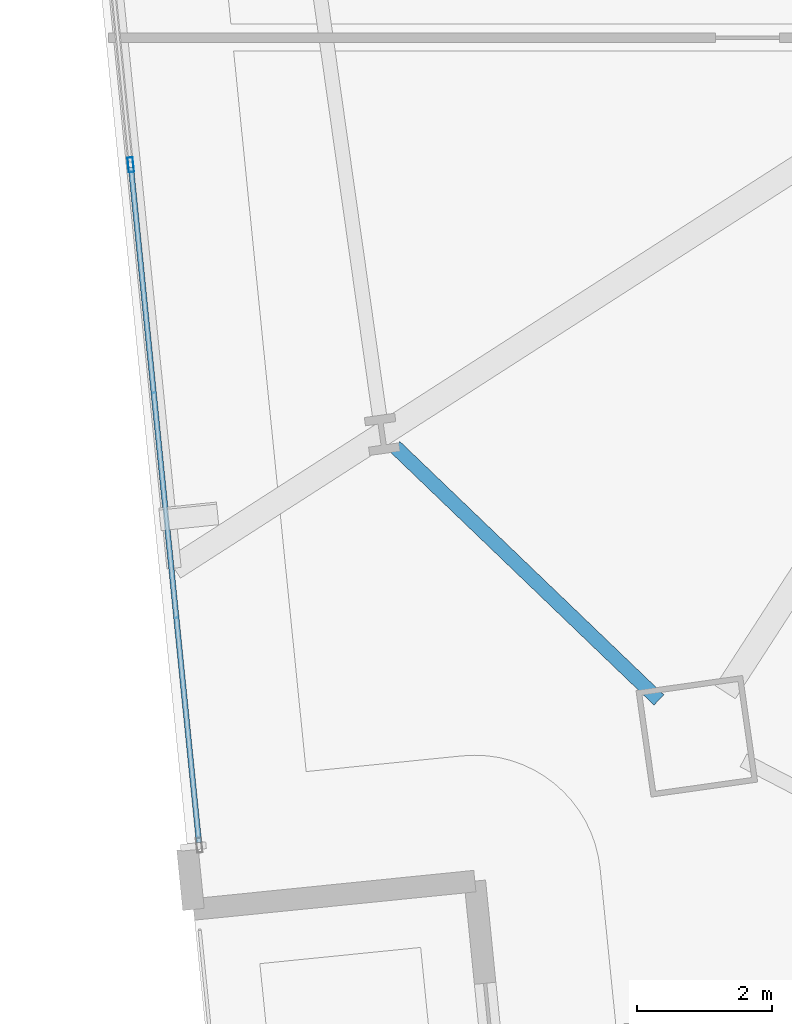
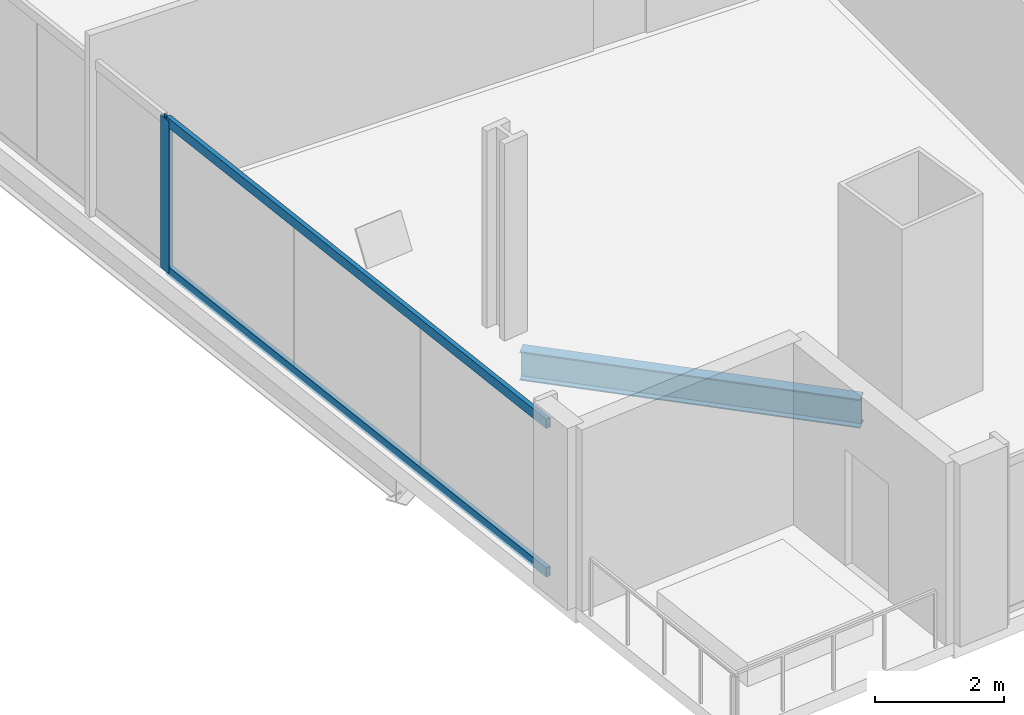
# One storey, part 3 of 33: 3 members, 1 beam, 1 element without a shape of its own.
"""IFC4 building model written with IfcOpenShell, lengths in metres."""

from ifc_helpers import new_model, si_unit, direction, frame, origin, origin_2d, place, context, subcontext, project, spatial, hollow_rectangle, i_section, extrude, material, material_profile, profile_set, type_object, element, aggregate, save


model = new_model("IFC4")

# Units and contexts
model_context = context("Model", 3, precision=1e-05, world=origin(), true_north=direction((0.0, 1.0)))
body_context = subcontext(model_context, "Body", "Model", "MODEL_VIEW")
ifc_project = project(units=[si_unit("LENGTHUNIT", "METRE"), si_unit("AREAUNIT", "SQUARE_METRE"), si_unit("VOLUMEUNIT", "CUBIC_METRE"), si_unit("PLANEANGLEUNIT", "RADIAN"), si_unit("MASSUNIT", "GRAM", prefix="KILO")], contexts=[model_context])

# Site, building, storey
site_placement = place(None, origin())
site = spatial("IfcSite", under=ifc_project, at=site_placement, CompositionType="ELEMENT")
building_placement = place(site_placement, origin())
building = spatial("IfcBuilding", under=site, at=building_placement, Name="Haldenkirk Collegiate Tower", CompositionType="ELEMENT")
storey_placement = place(building_placement, frame((0.0, 0.0, 47.699951171875)))
storey = spatial("IfcBuildingStorey", under=building, at=storey_placement, Name="L10", CompositionType="ELEMENT", Elevation=47.699951171875)

# Beam
ifc_material_1 = material(Name="Steel ASTM A992 Grade 50", Category="steel")
ifc_material_profile_1 = material_profile(ifc_material_1, i_section(OverallWidth=0.2119140625, OverallDepth=0.5439453125, WebThickness=0.01318359375, FlangeThickness=0.021240234375, at=origin_2d()), Name="W21X83")
ifc_profile_set_1 = profile_set([ifc_material_profile_1], Name="Steel ASTM A992 Grade 50")
beam_type = type_object("IfcBeamType", Name="BM-SPANDREL-W21X83", PredefinedType="SPANDREL", material=ifc_profile_set_1)
beam_placement = place(storey_placement, frame((14.212890625, 9.47412109375, -0.58203125), z_axis=(0.721492362326, -0.692422393561, 0.0), x_axis=(0.692422393561, 0.721492362326, 0.0)))
element("IfcBeam", 1, at=beam_placement, inside=storey, type_object=beam_type, Name="L10 perimeter spandrel beam 16", PredefinedType="SPANDREL", context=body_context, shape_type="SweptSolid", body=[
    extrude(i_section(OverallWidth=0.2119140625, OverallDepth=0.5439453125, WebThickness=0.01318359375, FlangeThickness=0.021240234375, at=origin_2d()), origin(), (0.0, 0.0, 1.0), 5.433837890625),
])

# Curtain wall, members
ifc_material_2 = material(Name="Anodised architectural bronze aluminium", Category="aluminium")
curtain_wall_type = type_object("IfcCurtainWallType", Name="CW-SYS1-CONVEX-LOW", PredefinedType="USERDEFINED", material=ifc_material_2)
curtain_wall_placement = place(storey_placement, origin())
curtain_wall = element("IfcCurtainWall", 2, at=curtain_wall_placement, inside=storey, type_object=curtain_wall_type, Name="L10 Lower tower convex bronze-framed unitised curtain wall", ObjectType="UNITISED CURTAIN WALL", PredefinedType="USERDEFINED")
ifc_material_profile_2 = material_profile(ifc_material_2, hollow_rectangle(XDim=0.080078125, YDim=0.219970703125, WallThickness=0.0048828125, at=origin_2d()), Name="CW-MUL-1A")
ifc_profile_set_2 = profile_set([ifc_material_profile_2], Name="Anodised architectural bronze aluminium")
member_type_1 = type_object("IfcMemberType", Name="CW-MUL-1A", PredefinedType="MULLION", material=ifc_profile_set_2)
member_1_placement = place(storey_placement, frame((10.286865234375, 13.661865234375, 0.0), z_axis=(0.0, 0.0, 1.0), x_axis=(-0.994968667969, -0.100186574745, 0.0)))
member_1 = element("IfcMember", 3, at=member_1_placement, type_object=member_type_1, Name="CW-1A mullion 2", PredefinedType="MULLION", context=body_context, shape_type="SweptSolid", body=[
    extrude(hollow_rectangle(XDim=0.080078125, YDim=0.219970703125, WallThickness=0.0048828125, at=origin_2d()), origin(), (0.0, 0.0, 1.0), 2.89111328125),
])
ifc_material_profile_3 = material_profile(ifc_material_2, hollow_rectangle(XDim=0.080078125, YDim=0.179931640625, WallThickness=0.0048828125, at=origin_2d()), Name="CW-TRN-1A")
ifc_profile_set_3 = profile_set([ifc_material_profile_3], Name="Anodised architectural bronze aluminium")
member_type_2 = type_object("IfcMemberType", Name="CW-TRN-1A", PredefinedType="USERDEFINED", material=ifc_profile_set_3)
member_2_placement = place(storey_placement, frame((11.30078125, 3.5927734375, 0.0400390625), z_axis=(-0.100199127314, 0.994967403931, 0.0), x_axis=(-0.994967403931, -0.100199127314, 0.0)))
member_2 = element("IfcMember", 4, at=member_2_placement, type_object=member_type_2, Name="CW-1A transom 1.1", ObjectType="TRANSOM", PredefinedType="USERDEFINED", context=body_context, shape_type="SweptSolid", body=[
    extrude(hollow_rectangle(XDim=0.080078125, YDim=0.179931640625, WallThickness=0.0048828125, at=origin_2d()), origin(), (0.0, 0.0, 1.0), 10.080078125),
])
member_3_placement = place(storey_placement, frame((11.30078125, 3.5927734375, 2.85107421875), z_axis=(-0.100199127314, 0.994967403931, 0.0), x_axis=(-0.994967403931, -0.100199127314, 0.0)))
member_3 = element("IfcMember", 5, at=member_3_placement, type_object=member_type_2, Name="CW-1A transom 1.2", ObjectType="TRANSOM", PredefinedType="USERDEFINED", context=body_context, shape_type="SweptSolid", body=[
    extrude(hollow_rectangle(XDim=0.080078125, YDim=0.179931640625, WallThickness=0.0048828125, at=origin_2d()), origin(), (0.0, 0.0, 1.0), 10.080078125),
])
aggregate(curtain_wall, [member_1, member_2, member_3])

save(model, "model.ifc")
